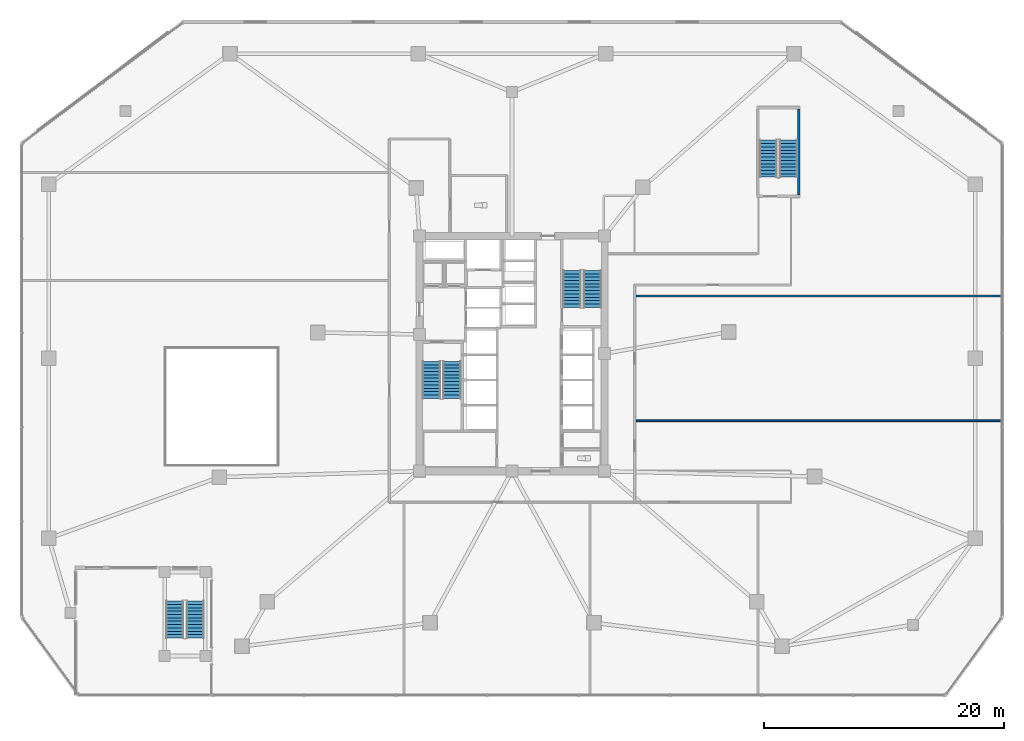
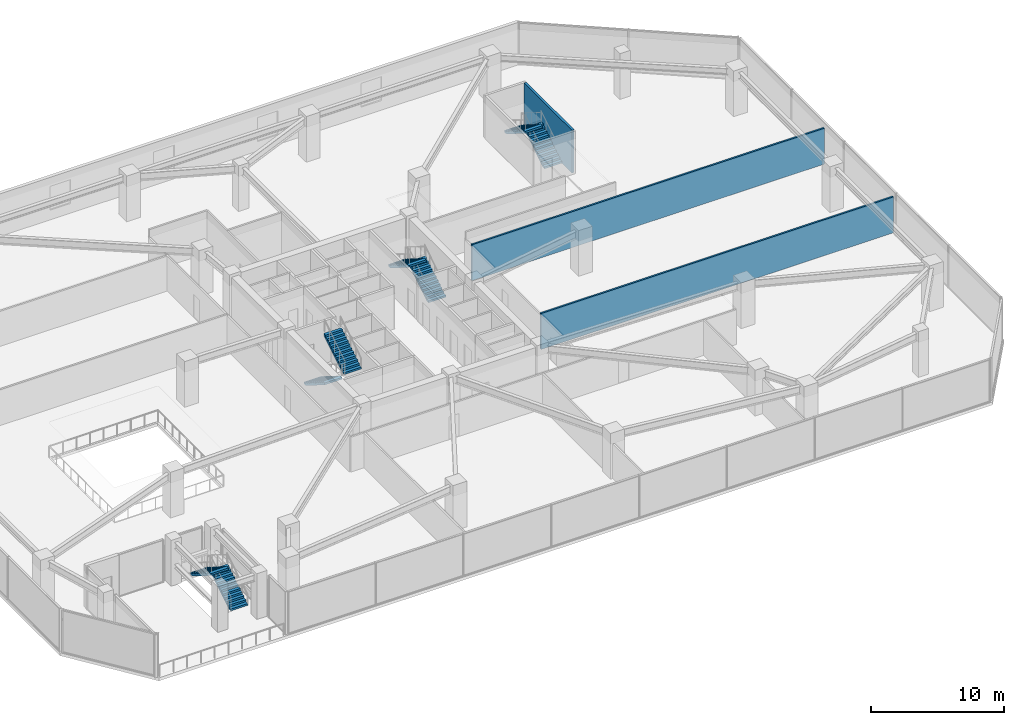
# One storey, part 13 of 22: 8 stair flights, 3 walls, 4 elements without a shape of their own.
"""IFC4 building model written with IfcOpenShell, lengths in metres."""

from ifc_helpers import new_model, si_unit, direction, frame, frame_2d, origin, place, context, subcontext, project, spatial, polyline, rectangle, outline, extrude, material, layer, layer_set, type_object, element, aggregate, save


model = new_model("IFC4")

# Units and contexts
model_context = context("Model", 3, precision=1e-05, world=origin(), true_north=direction((0.0, 1.0)))
body_context = subcontext(model_context, "Body", "Model", "MODEL_VIEW")
ifc_project = project(units=[si_unit("LENGTHUNIT", "METRE"), si_unit("AREAUNIT", "SQUARE_METRE"), si_unit("VOLUMEUNIT", "CUBIC_METRE"), si_unit("PLANEANGLEUNIT", "RADIAN"), si_unit("MASSUNIT", "GRAM", prefix="KILO")], contexts=[model_context])

# Site, building, storey
site_placement = place(None, origin())
site = spatial("IfcSite", under=ifc_project, at=site_placement, CompositionType="ELEMENT")
building_placement = place(site_placement, origin())
building = spatial("IfcBuilding", under=site, at=building_placement, Name="Savorim Split Tower", CompositionType="ELEMENT")
storey_placement = place(building_placement, frame((0.0, 0.0, 13.39990234375)))
storey = spatial("IfcBuildingStorey", under=building, at=storey_placement, Name="L03", CompositionType="ELEMENT", Elevation=13.39990234375)

# Walls
ifc_material_1 = material(Name="Concrete C50/60", Category="concrete")
ifc_layer_1 = layer(ifc_material_1, 0.199951171875)
ifc_layer_set_1 = layer_set([ifc_layer_1], Name="WAL-INT-RC200")
wall_type_1 = type_object("IfcWallType", Name="WAL-INT-RC200", PredefinedType="SOLIDWALL", material=ifc_layer_set_1)
wall_placement = place(storey_placement, frame((23.89990234375, 13.60009765625, 0.0), z_axis=(0.0, 0.0, 1.0), x_axis=(0.0, 1.0, 0.0)))
element("IfcWall", 1, at=wall_placement, inside=storey, type_object=wall_type_1, Name="L03 Structural Shaft Wall W-L03-ST3E", PredefinedType="SOLIDWALL", context=body_context, shape_type="SweptSolid", body=[
    extrude(rectangle(XDim=7.199951171875, YDim=0.199951171875, at=frame_2d((3.60009765625, 0.0))), origin(), (0.0, 0.0, 1.0), 3.920166015625),
])
ifc_material_2 = material(Name="Acoustic Gypsum Partition Board")
ifc_layer_2 = layer(ifc_material_2, 0.14990234375)
ifc_layer_set_2 = layer_set([ifc_layer_2], Name="WAL-PAR-150")
wall_type_2 = type_object("IfcWallType", Name="WAL-PAR-150", PredefinedType="PARTITIONING", material=ifc_layer_set_2)
for number, where, z_axis, x_axis, name in (
    (2, (10.219970703125, 5.199951171875, 0.0), (0.0, 0.0, 1.0), (1.0, 0.0, 0.0), "L03 Partition W-L03-PD2"),
    (3, (10.219970703125, -5.199951171875, 0.0), (0.0, 0.0, 1.0), (1.0, 0.0, 0.0), "L03 Partition W-L03-PD3C"),
):
    element("IfcWall", number, at=place(storey_placement, frame(where, z_axis=z_axis, x_axis=x_axis)), inside=storey, type_object=wall_type_2, Name=name, PredefinedType="PARTITIONING", context=body_context, shape_type="SweptSolid", body=[
        extrude(rectangle(XDim=30.60009765625, YDim=0.14990234375, at=frame_2d((15.300048828125, 0.0))), origin(), (0.0, 0.0, 1.0), 3.30517578125),
    ])

# Stair, stair flights
stair_type = type_object("IfcStairType", Name="STR-DOG-4200", PredefinedType="HALF_TURN_STAIR", material=ifc_material_1)
stair_1_placement = place(storey_placement, origin())
stair_1 = element("IfcStair", 4, at=stair_1_placement, inside=storey, type_object=stair_type, Name="L03 Core Protected Exit Stair ST-1", PredefinedType="HALF_TURN_STAIR")
stair_flight_type = type_object("IfcStairFlightType", Name="SFL-DOG-4200", PredefinedType="STRAIGHT", material=ifc_material_1)
stair_flight_1_placement = place(storey_placement, frame((-6.699951171875, -0.25, 0.0), z_axis=(0.0, 0.0, 1.0), x_axis=(0.0, -1.0, 0.0)))
stair_flight_1 = element("IfcStairFlight", 5, at=stair_flight_1_placement, type_object=stair_flight_type, Name="ST-1 flight 1", NumberOfRisers=12, NumberOfTreads=11, PredefinedType="STRAIGHT", RiserHeight=0.175, TreadLength=0.28, context=body_context, shape_type="SweptSolid", body=[
    extrude(outline(polyline([(0.0, 0.0), (0.0, 0.175048828125), (0.280029296875, 0.175048828125), (0.280029296875, 0.35009765625), (0.56005859375, 0.35009765625), (0.56005859375, 0.52490234375), (0.840087890625, 0.52490234375), (0.840087890625, 0.699951171875), (1.1201171875, 0.699951171875), (1.1201171875, 0.875), (1.39990234375, 0.875), (1.39990234375, 1.050048828125), (1.679931640625, 1.050048828125), (1.679931640625, 1.22509765625), (1.9599609375, 1.22509765625), (1.9599609375, 1.39990234375), (2.239990234375, 1.39990234375), (2.239990234375, 1.574951171875), (2.52001953125, 1.574951171875), (2.52001953125, 1.75), (2.800048828125, 1.75), (2.800048828125, 1.925048828125), (3.080078125, 1.925048828125), (3.080078125, 2.10009765625), (3.080078125, 1.748291015625), (0.28271484375, 0.0), (0.0, 0.0)])), frame((0.0, 0.75, 0.0), z_axis=(0.0, -1.0, 0.0), x_axis=(1.0, 0.0, 0.0)), (0.0, 0.0, 1.0), 1.5),
])
stair_flight_2_placement = place(storey_placement, frame((-5.0, -3.330078125, 2.10009765625), z_axis=(0.0, 0.0, 1.0), x_axis=(0.0, 1.0, 0.0)))
stair_flight_2 = element("IfcStairFlight", 6, at=stair_flight_2_placement, type_object=stair_flight_type, Name="ST-1 flight 2", NumberOfRisers=12, NumberOfTreads=11, PredefinedType="STRAIGHT", RiserHeight=0.175, TreadLength=0.28, context=body_context, shape_type="SweptSolid", body=[
    extrude(outline(polyline([(0.0, 0.0), (0.0, 0.175048828125), (0.280029296875, 0.175048828125), (0.280029296875, 0.35009765625), (0.56005859375, 0.35009765625), (0.56005859375, 0.52490234375), (0.840087890625, 0.52490234375), (0.840087890625, 0.699951171875), (1.1201171875, 0.699951171875), (1.1201171875, 0.875), (1.39990234375, 0.875), (1.39990234375, 1.050048828125), (1.679931640625, 1.050048828125), (1.679931640625, 1.22509765625), (1.9599609375, 1.22509765625), (1.9599609375, 1.39990234375), (2.239990234375, 1.39990234375), (2.239990234375, 1.574951171875), (2.52001953125, 1.574951171875), (2.52001953125, 1.75), (2.800048828125, 1.75), (2.800048828125, 1.925048828125), (3.080078125, 1.925048828125), (3.080078125, 2.10009765625), (3.080078125, 1.748291015625), (0.28271484375, 0.0), (0.0, 0.0)])), frame((0.0, 0.75, 0.0), z_axis=(0.0, -1.0, 0.0), x_axis=(1.0, 0.0, 0.0)), (0.0, 0.0, 1.0), 1.5),
])
aggregate(stair_1, [stair_flight_1, stair_flight_2])

stair_2_placement = place(storey_placement, origin())
stair_2 = element("IfcStair", 7, at=stair_2_placement, inside=storey, type_object=stair_type, Name="L03 Core Protected Exit Stair ST-2", PredefinedType="HALF_TURN_STAIR")
stair_flight_3_placement = place(storey_placement, frame((6.699951171875, 4.25, 0.0), z_axis=(0.0, 0.0, 1.0), x_axis=(0.0, 1.0, 0.0)))
stair_flight_3 = element("IfcStairFlight", 8, at=stair_flight_3_placement, type_object=stair_flight_type, Name="ST-2 flight 1", NumberOfRisers=12, NumberOfTreads=11, PredefinedType="STRAIGHT", RiserHeight=0.175, TreadLength=0.28, context=body_context, shape_type="SweptSolid", body=[
    extrude(outline(polyline([(0.0, 0.0), (0.0, 0.175048828125), (0.280029296875, 0.175048828125), (0.280029296875, 0.35009765625), (0.56005859375, 0.35009765625), (0.56005859375, 0.52490234375), (0.840087890625, 0.52490234375), (0.840087890625, 0.699951171875), (1.1201171875, 0.699951171875), (1.1201171875, 0.875), (1.39990234375, 0.875), (1.39990234375, 1.050048828125), (1.679931640625, 1.050048828125), (1.679931640625, 1.22509765625), (1.9599609375, 1.22509765625), (1.9599609375, 1.39990234375), (2.239990234375, 1.39990234375), (2.239990234375, 1.574951171875), (2.52001953125, 1.574951171875), (2.52001953125, 1.75), (2.800048828125, 1.75), (2.800048828125, 1.925048828125), (3.080078125, 1.925048828125), (3.080078125, 2.10009765625), (3.080078125, 1.748291015625), (0.28271484375, 0.0), (0.0, 0.0)])), frame((0.0, 0.75, 0.0), z_axis=(0.0, -1.0, 0.0), x_axis=(1.0, 0.0, 0.0)), (0.0, 0.0, 1.0), 1.5),
])
stair_flight_4_placement = place(storey_placement, frame((5.0, 7.330078125, 2.10009765625), z_axis=(0.0, 0.0, 1.0), x_axis=(0.0, -1.0, 0.0)))
stair_flight_4 = element("IfcStairFlight", 9, at=stair_flight_4_placement, type_object=stair_flight_type, Name="ST-2 flight 2", NumberOfRisers=12, NumberOfTreads=11, PredefinedType="STRAIGHT", RiserHeight=0.175, TreadLength=0.28, context=body_context, shape_type="SweptSolid", body=[
    extrude(outline(polyline([(0.0, 0.0), (0.0, 0.175048828125), (0.280029296875, 0.175048828125), (0.280029296875, 0.35009765625), (0.56005859375, 0.35009765625), (0.56005859375, 0.52490234375), (0.840087890625, 0.52490234375), (0.840087890625, 0.699951171875), (1.1201171875, 0.699951171875), (1.1201171875, 0.875), (1.39990234375, 0.875), (1.39990234375, 1.050048828125), (1.679931640625, 1.050048828125), (1.679931640625, 1.22509765625), (1.9599609375, 1.22509765625), (1.9599609375, 1.39990234375), (2.239990234375, 1.39990234375), (2.239990234375, 1.574951171875), (2.52001953125, 1.574951171875), (2.52001953125, 1.75), (2.800048828125, 1.75), (2.800048828125, 1.925048828125), (3.080078125, 1.925048828125), (3.080078125, 2.10009765625), (3.080078125, 1.748291015625), (0.28271484375, 0.0), (0.0, 0.0)])), frame((0.0, 0.75, 0.0), z_axis=(0.0, -1.0, 0.0), x_axis=(1.0, 0.0, 0.0)), (0.0, 0.0, 1.0), 1.5),
])
aggregate(stair_2, [stair_flight_3, stair_flight_4])

stair_3_placement = place(storey_placement, origin())
stair_3 = element("IfcStair", 10, at=stair_3_placement, inside=storey, type_object=stair_type, Name="L03 Podium Protected Garden Exit Stair ST-3", PredefinedType="HALF_TURN_STAIR")
stair_flight_5_placement = place(storey_placement, frame((23.050048828125, 15.10009765625, 0.0), z_axis=(0.0, 0.0, 1.0), x_axis=(0.0, 1.0, 0.0)))
stair_flight_5 = element("IfcStairFlight", 11, at=stair_flight_5_placement, type_object=stair_flight_type, Name="ST-3 flight 1", NumberOfRisers=12, NumberOfTreads=11, PredefinedType="STRAIGHT", RiserHeight=0.175, TreadLength=0.28, context=body_context, shape_type="SweptSolid", body=[
    extrude(outline(polyline([(0.0, 0.0), (0.0, 0.175048828125), (0.280029296875, 0.175048828125), (0.280029296875, 0.35009765625), (0.56005859375, 0.35009765625), (0.56005859375, 0.52490234375), (0.840087890625, 0.52490234375), (0.840087890625, 0.699951171875), (1.1201171875, 0.699951171875), (1.1201171875, 0.875), (1.39990234375, 0.875), (1.39990234375, 1.050048828125), (1.679931640625, 1.050048828125), (1.679931640625, 1.22509765625), (1.9599609375, 1.22509765625), (1.9599609375, 1.39990234375), (2.239990234375, 1.39990234375), (2.239990234375, 1.574951171875), (2.52001953125, 1.574951171875), (2.52001953125, 1.75), (2.800048828125, 1.75), (2.800048828125, 1.925048828125), (3.080078125, 1.925048828125), (3.080078125, 2.10009765625), (3.080078125, 1.748291015625), (0.28271484375, 0.0), (0.0, 0.0)])), frame((0.0, 0.75, 0.0), z_axis=(0.0, -1.0, 0.0), x_axis=(1.0, 0.0, 0.0)), (0.0, 0.0, 1.0), 1.5),
])
stair_flight_6_placement = place(storey_placement, frame((21.35009765625, 18.179931640625, 2.10009765625), z_axis=(0.0, 0.0, 1.0), x_axis=(0.0, -1.0, 0.0)))
stair_flight_6 = element("IfcStairFlight", 12, at=stair_flight_6_placement, type_object=stair_flight_type, Name="ST-3 flight 2", NumberOfRisers=12, NumberOfTreads=11, PredefinedType="STRAIGHT", RiserHeight=0.175, TreadLength=0.28, context=body_context, shape_type="SweptSolid", body=[
    extrude(outline(polyline([(0.0, 0.0), (0.0, 0.175048828125), (0.280029296875, 0.175048828125), (0.280029296875, 0.35009765625), (0.56005859375, 0.35009765625), (0.56005859375, 0.52490234375), (0.840087890625, 0.52490234375), (0.840087890625, 0.699951171875), (1.1201171875, 0.699951171875), (1.1201171875, 0.875), (1.39990234375, 0.875), (1.39990234375, 1.050048828125), (1.679931640625, 1.050048828125), (1.679931640625, 1.22509765625), (1.9599609375, 1.22509765625), (1.9599609375, 1.39990234375), (2.239990234375, 1.39990234375), (2.239990234375, 1.574951171875), (2.52001953125, 1.574951171875), (2.52001953125, 1.75), (2.800048828125, 1.75), (2.800048828125, 1.925048828125), (3.080078125, 1.925048828125), (3.080078125, 2.10009765625), (3.080078125, 1.748291015625), (0.28271484375, 0.0), (0.0, 0.0)])), frame((0.0, 0.75, 0.0), z_axis=(0.0, -1.0, 0.0), x_axis=(1.0, 0.0, 0.0)), (0.0, 0.0, 1.0), 1.5),
])
aggregate(stair_3, [stair_flight_5, stair_flight_6])

stair_4_placement = place(storey_placement, origin())
stair_4 = element("IfcStair", 13, at=stair_4_placement, inside=storey, type_object=stair_type, Name="L03 Exterior Stepped Public Garden Stair ST-GDN", PredefinedType="HALF_TURN_STAIR")
stair_flight_7_placement = place(storey_placement, frame((-26.39990234375, -23.300048828125, 0.0), z_axis=(0.0, 0.0, 1.0), x_axis=(0.0, 1.0, 0.0)))
stair_flight_7 = element("IfcStairFlight", 14, at=stair_flight_7_placement, type_object=stair_flight_type, Name="ST-GDN flight 1", NumberOfRisers=12, NumberOfTreads=11, PredefinedType="STRAIGHT", RiserHeight=0.175, TreadLength=0.28, context=body_context, shape_type="SweptSolid", body=[
    extrude(outline(polyline([(0.0, 0.0), (0.0, 0.175048828125), (0.280029296875, 0.175048828125), (0.280029296875, 0.35009765625), (0.56005859375, 0.35009765625), (0.56005859375, 0.52490234375), (0.840087890625, 0.52490234375), (0.840087890625, 0.699951171875), (1.1201171875, 0.699951171875), (1.1201171875, 0.875), (1.39990234375, 0.875), (1.39990234375, 1.050048828125), (1.679931640625, 1.050048828125), (1.679931640625, 1.22509765625), (1.9599609375, 1.22509765625), (1.9599609375, 1.39990234375), (2.239990234375, 1.39990234375), (2.239990234375, 1.574951171875), (2.52001953125, 1.574951171875), (2.52001953125, 1.75), (2.800048828125, 1.75), (2.800048828125, 1.925048828125), (3.080078125, 1.925048828125), (3.080078125, 2.10009765625), (3.080078125, 1.748291015625), (0.28271484375, 0.0), (0.0, 0.0)])), frame((0.0, 0.75, 0.0), z_axis=(0.0, -1.0, 0.0), x_axis=(1.0, 0.0, 0.0)), (0.0, 0.0, 1.0), 1.5),
])
stair_flight_8_placement = place(storey_placement, frame((-28.10009765625, -20.219970703125, 2.10009765625), z_axis=(0.0, 0.0, 1.0), x_axis=(0.0, -1.0, 0.0)))
stair_flight_8 = element("IfcStairFlight", 15, at=stair_flight_8_placement, type_object=stair_flight_type, Name="ST-GDN flight 2", NumberOfRisers=12, NumberOfTreads=11, PredefinedType="STRAIGHT", RiserHeight=0.175, TreadLength=0.28, context=body_context, shape_type="SweptSolid", body=[
    extrude(outline(polyline([(0.0, 0.0), (0.0, 0.175048828125), (0.280029296875, 0.175048828125), (0.280029296875, 0.35009765625), (0.56005859375, 0.35009765625), (0.56005859375, 0.52490234375), (0.840087890625, 0.52490234375), (0.840087890625, 0.699951171875), (1.1201171875, 0.699951171875), (1.1201171875, 0.875), (1.39990234375, 0.875), (1.39990234375, 1.050048828125), (1.679931640625, 1.050048828125), (1.679931640625, 1.22509765625), (1.9599609375, 1.22509765625), (1.9599609375, 1.39990234375), (2.239990234375, 1.39990234375), (2.239990234375, 1.574951171875), (2.52001953125, 1.574951171875), (2.52001953125, 1.75), (2.800048828125, 1.75), (2.800048828125, 1.925048828125), (3.080078125, 1.925048828125), (3.080078125, 2.10009765625), (3.080078125, 1.748291015625), (0.28271484375, 0.0), (0.0, 0.0)])), frame((0.0, 0.75, 0.0), z_axis=(0.0, -1.0, 0.0), x_axis=(1.0, 0.0, 0.0)), (0.0, 0.0, 1.0), 1.5),
])
aggregate(stair_4, [stair_flight_7, stair_flight_8])

save(model, "model.ifc")
